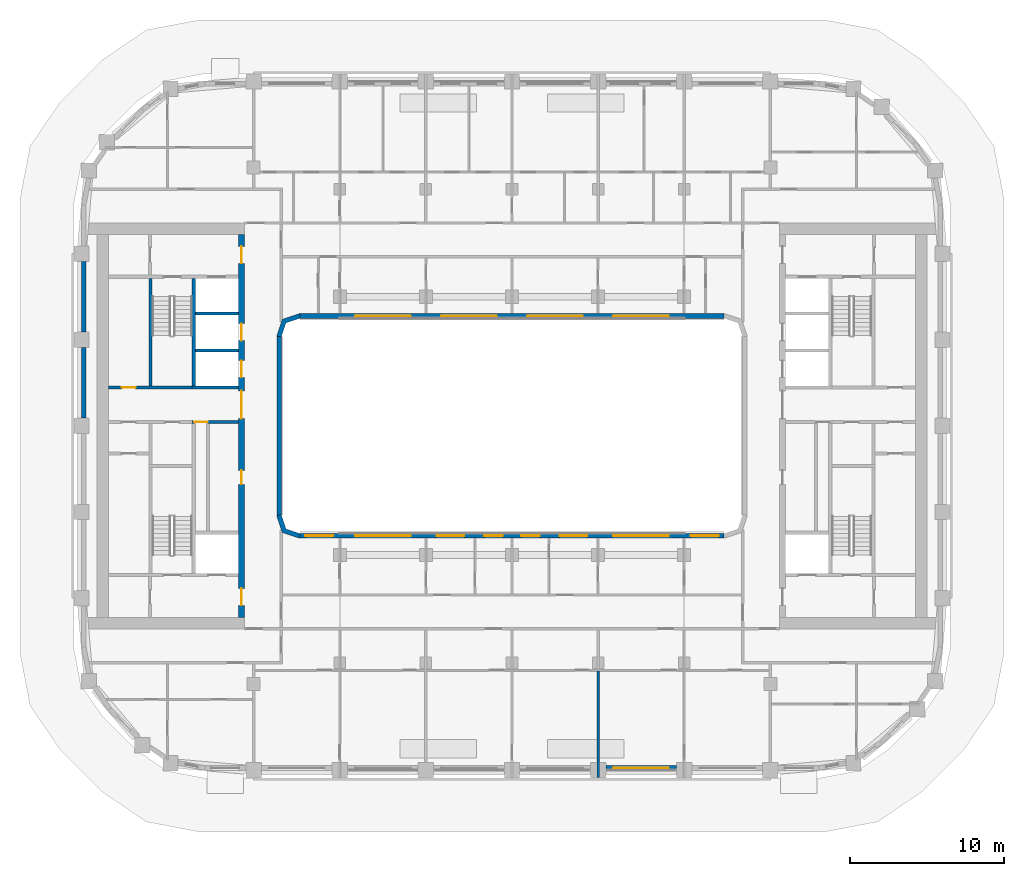
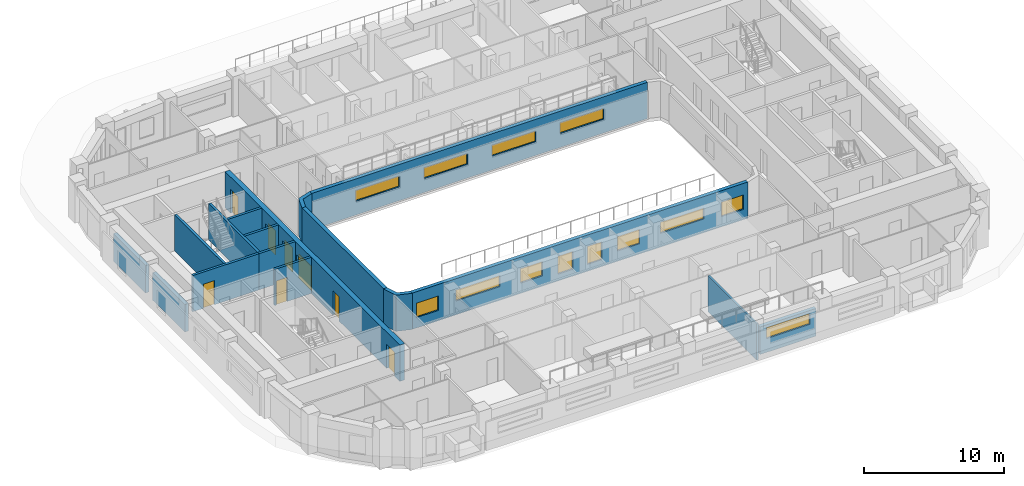
# One storey, part 4 of 17: 17 walls, 13 windows, 8 doors, 21 openings.
"""IFC4 building model written with IfcOpenShell, lengths in metres."""

from ifc_helpers import new_model, si_unit, direction, frame, frame_2d, origin, place, context, subcontext, project, spatial, polyline, rectangle, outline, extrude, material, layer, layer_set, type_object, element, fill, save


model = new_model("IFC4")

# Units and contexts
model_context = context("Model", 3, precision=1e-05, world=origin(), true_north=direction((0.0, 1.0)))
body_context = subcontext(model_context, "Body", "Model", "MODEL_VIEW")
ifc_project = project(units=[si_unit("LENGTHUNIT", "METRE"), si_unit("AREAUNIT", "SQUARE_METRE"), si_unit("VOLUMEUNIT", "CUBIC_METRE"), si_unit("PLANEANGLEUNIT", "RADIAN"), si_unit("MASSUNIT", "GRAM", prefix="KILO")], contexts=[model_context])

# Site, building, storey
site_placement = place(None, origin())
site = spatial("IfcSite", under=ifc_project, at=site_placement, CompositionType="ELEMENT")
building_placement = place(site_placement, origin())
building = spatial("IfcBuilding", under=site, at=building_placement, Name="Kiln Ring Residences", CompositionType="ELEMENT")
storey_placement = place(building_placement, frame((0.0, 0.0, 174.60009765625)))
storey = spatial("IfcBuildingStorey", under=building, at=storey_placement, Name="L45", CompositionType="ELEMENT", Elevation=174.60009765625)

# Wall, opening, door
ifc_material_1 = material(Name="Gypsum shaft wall system")
ifc_layer_1 = layer(ifc_material_1, 0.199951171875)
ifc_layer_set_1 = layer_set([ifc_layer_1], Name="CORE-SHAFT-WALL-200")
wall_type_1 = type_object("IfcWallType", Name="CORE-SHAFT-WALL-200", PredefinedType="PARTITIONING", material=ifc_layer_set_1)
wall_1_placement = place(storey_placement, frame((-17.800048828125, 0.25, 0.0), z_axis=(0.0, 0.0, 1.0), x_axis=(-1.0, 0.0, 0.0)))
wall_1 = element("IfcWall", 1, at=wall_1_placement, inside=storey, type_object=wall_type_1, Name="Core partition west L45 8", PredefinedType="PARTITIONING", context=body_context, shape_type="SweptSolid", body=[
    extrude(rectangle(XDim=3.0, YDim=0.199951171875, at=frame_2d((1.5, 0.0))), origin(), (0.0, 0.0, 1.0), 3.14990234375),
])
opening_1_placement = place(wall_1_placement, frame((1.97998046875, 0.0, 0.0)))
opening_1 = element("IfcOpeningElement", 2, at=opening_1_placement, cuts=wall_1, Name="Opening L45-CW03", PredefinedType="OPENING", context=body_context, shape_type="SweptSolid", body=[
    extrude(rectangle(XDim=0.89990234375, YDim=2.10009765625, at=frame_2d((0.449951171875, 1.050048828125))), frame((0.0, 0.10986328125, 0.0), z_axis=(0.0, -1.0, 0.0), x_axis=(1.0, 0.0, 0.0)), (0.0, 0.0, 1.0), 0.219970703125),
])
ifc_material_2 = material(Name="Steel door leaf", Category="steel")
door_type_1 = type_object("IfcDoorType", Name="CORE-DOOR-ROOM", OperationType="SINGLE_SWING_LEFT", PredefinedType="DOOR", material=ifc_material_2)
door_1_placement = place(opening_1_placement, origin())
door_1 = element("IfcDoor", 3, at=door_1_placement, inside=storey, type_object=door_type_1, Name="Waste room L45-CW03", OperationType="SINGLE_SWING_LEFT", OverallHeight=2.10009765625, OverallWidth=0.89990234375, PredefinedType="DOOR", context=body_context, shape_type="SweptSolid", body=[
    extrude(rectangle(XDim=0.89990234375, YDim=2.10009765625, at=frame_2d((0.449951171875, 1.050048828125))), frame((0.0, 0.02490234375, 0.0), z_axis=(0.0, -1.0, 0.0), x_axis=(1.0, 0.0, 0.0)), (0.0, 0.0, 1.0), 0.050048828125),
])
fill(opening_1, door_1)

# Walls
wall_2_placement = place(storey_placement, frame((-17.800048828125, 2.5, 0.0), z_axis=(0.0, 0.0, 1.0), x_axis=(-1.0, 0.0, 0.0)))
element("IfcWall", 4, at=wall_2_placement, inside=storey, type_object=wall_type_1, Name="Core partition west L45 9", PredefinedType="PARTITIONING", context=body_context, shape_type="SweptSolid", body=[
    extrude(rectangle(XDim=3.0, YDim=0.199951171875, at=frame_2d((1.5, 0.0))), origin(), (0.0, 0.0, 1.0), 3.14990234375),
])
for number, where, z_axis, x_axis, name in (
    (5, (-17.800048828125, 4.89990234375, 0.0), (0.0, 0.0, 1.0), (-1.0, 0.0, 0.0), "Core partition west L45 10"),
    (6, (-17.800048828125, 7.300048828125, 0.0), (0.0, 0.0, 1.0), (-1.0, 0.0, 0.0), "Core partition west L45 11"),
):
    element("IfcWall", number, at=place(storey_placement, frame(where, z_axis=z_axis, x_axis=x_axis)), inside=storey, type_object=wall_type_1, Name=name, PredefinedType="PARTITIONING", context=body_context, shape_type="SweptSolid", body=[
        extrude(rectangle(XDim=2.800048828125, YDim=0.199951171875, at=frame_2d((1.39990234375, 0.0))), origin(), (0.0, 0.0, 1.0), 3.14990234375),
    ])
ifc_material_3 = material(Name="Concrete C40/50", Category="concrete")
ifc_layer_2 = layer(ifc_material_3, 0.199951171875)
ifc_layer_set_2 = layer_set([ifc_layer_2], Name="CORE-WALL-RC200")
wall_type_2 = type_object("IfcWallType", Name="CORE-WALL-RC200", PredefinedType="SHEAR", material=ifc_layer_set_2)
wall_3_placement = place(storey_placement, frame((-20.699951171875, 2.60009765625, 0.0), z_axis=(0.0, 0.0, 1.0), x_axis=(0.0, 1.0, 0.0)))
element("IfcWall", 7, at=wall_3_placement, inside=storey, type_object=wall_type_2, Name="Core wall west L45 1", PredefinedType="SHEAR", context=body_context, shape_type="SweptSolid", body=[
    extrude(rectangle(XDim=7.0, YDim=0.199951171875, at=frame_2d((3.5, 0.0))), origin(), (0.0, 0.0, 1.0), 3.14990234375),
])

# Wall, opening, door
wall_4_placement = place(storey_placement, frame((-20.800048828125, 2.5, 0.0), z_axis=(0.0, 0.0, 1.0), x_axis=(-1.0, 0.0, 0.0)))
wall_4 = element("IfcWall", 8, at=wall_4_placement, inside=storey, type_object=wall_type_2, Name="Core wall west L45 3", PredefinedType="SHEAR", context=body_context, shape_type="SweptSolid", body=[
    extrude(rectangle(XDim=5.449951171875, YDim=0.199951171875, at=frame_2d((2.72509765625, 0.0))), origin(), (0.0, 0.0, 1.0), 3.14990234375),
])
opening_2_placement = place(wall_4_placement, frame((3.675048828125, 0.0, 0.0)))
opening_2 = element("IfcOpeningElement", 9, at=opening_2_placement, cuts=wall_4, Name="Opening L45-CW17", PredefinedType="OPENING", context=body_context, shape_type="SweptSolid", body=[
    extrude(rectangle(XDim=0.89990234375, YDim=2.10009765625, at=frame_2d((0.449951171875, 1.050048828125))), frame((0.0, 0.10986328125, 0.0), z_axis=(0.0, -1.0, 0.0), x_axis=(1.0, 0.0, 0.0)), (0.0, 0.0, 1.0), 0.219970703125),
])
door_2_placement = place(opening_2_placement, origin())
door_2 = element("IfcDoor", 10, at=door_2_placement, inside=storey, type_object=door_type_1, Name="Electrical plant room L45-CW17", OperationType="SINGLE_SWING_RIGHT", OverallHeight=2.10009765625, OverallWidth=0.89990234375, PredefinedType="DOOR", context=body_context, shape_type="SweptSolid", body=[
    extrude(rectangle(XDim=0.89990234375, YDim=2.10009765625, at=frame_2d((0.449951171875, 1.050048828125))), frame((0.0, 0.02490234375, 0.0), z_axis=(0.0, -1.0, 0.0), x_axis=(1.0, 0.0, 0.0)), (0.0, 0.0, 1.0), 0.050048828125),
])
fill(opening_2, door_2)

# Wall
wall_5_placement = place(storey_placement, frame((-23.5, 2.60009765625, 0.0), z_axis=(0.0, 0.0, 1.0), x_axis=(0.0, 1.0, 0.0)))
element("IfcWall", 11, at=wall_5_placement, inside=storey, type_object=wall_type_2, Name="Core wall west L45 10", PredefinedType="SHEAR", context=body_context, shape_type="SweptSolid", body=[
    extrude(rectangle(XDim=7.0, YDim=0.199951171875, at=frame_2d((3.5, 0.0))), origin(), (0.0, 0.0, 1.0), 3.14990234375),
])

# Wall, openings, doors
ifc_material_4 = material(Name="Concrete C60/75", Category="concrete")
ifc_layer_3 = layer(ifc_material_4, 0.39990234375)
ifc_layer_set_3 = layer_set([ifc_layer_3], Name="CORE-WALL-RC400")
wall_type_3 = type_object("IfcWallType", Name="CORE-WALL-RC400", PredefinedType="SHEAR", material=ifc_layer_set_3)
wall_6_placement = place(storey_placement, frame((-17.60009765625, -12.449951171875, 0.0), z_axis=(0.0, 0.0, 1.0), x_axis=(0.0, 1.0, 0.0)))
wall_6 = element("IfcWall", 12, at=wall_6_placement, inside=storey, type_object=wall_type_3, Name="Core wall west L45 6", PredefinedType="SHEAR", context=body_context, shape_type="SweptSolid", body=[
    extrude(rectangle(XDim=24.89990234375, YDim=0.39990234375, at=frame_2d((12.449951171875, 0.0))), origin(), (0.0, 0.0, 1.0), 3.14990234375),
])
opening_3_placement = place(wall_6_placement, frame((8.64990234375, 0.0, 0.0)))
opening_3 = element("IfcOpeningElement", 13, at=opening_3_placement, cuts=wall_6, Name="Opening L45-CW02", PredefinedType="OPENING", context=body_context, shape_type="SweptSolid", body=[
    extrude(rectangle(XDim=0.89990234375, YDim=2.10009765625, at=frame_2d((0.449951171875, 1.050048828125))), frame((0.0, 0.2099609375, 0.0), z_axis=(0.0, -1.0, 0.0), x_axis=(1.0, 0.0, 0.0)), (0.0, 0.0, 1.0), 0.419921875),
])
opening_4_placement = place(wall_6_placement, frame((15.60009765625, 0.0, 0.0)))
opening_4 = element("IfcOpeningElement", 14, at=opening_4_placement, cuts=wall_6, Name="Opening L45-CW04", PredefinedType="OPENING", context=body_context, shape_type="SweptSolid", body=[
    extrude(rectangle(XDim=1.10009765625, YDim=2.10009765625, at=frame_2d((0.550048828125, 1.050048828125))), frame((0.0, 0.2099609375, 0.0), z_axis=(0.0, -1.0, 0.0), x_axis=(1.0, 0.0, 0.0)), (0.0, 0.0, 1.0), 0.419921875),
])
opening_5_placement = place(wall_6_placement, frame((18.0, 0.0, 0.0)))
opening_5 = element("IfcOpeningElement", 15, at=opening_5_placement, cuts=wall_6, Name="Opening L45-CW05", PredefinedType="OPENING", context=body_context, shape_type="SweptSolid", body=[
    extrude(rectangle(XDim=1.10009765625, YDim=2.10009765625, at=frame_2d((0.550048828125, 1.050048828125))), frame((0.0, 0.2099609375, 0.0), z_axis=(0.0, -1.0, 0.0), x_axis=(1.0, 0.0, 0.0)), (0.0, 0.0, 1.0), 0.419921875),
])
opening_6_placement = place(wall_6_placement, frame((23.02490234375, 0.0, 0.0)))
opening_6 = element("IfcOpeningElement", 16, at=opening_6_placement, cuts=wall_6, Name="Opening L45-CW07", PredefinedType="OPENING", context=body_context, shape_type="SweptSolid", body=[
    extrude(rectangle(XDim=1.10009765625, YDim=2.10009765625, at=frame_2d((0.550048828125, 1.050048828125))), frame((0.0, 0.2099609375, 0.0), z_axis=(0.0, -1.0, 0.0), x_axis=(1.0, 0.0, 0.0)), (0.0, 0.0, 1.0), 0.419921875),
])
opening_7_placement = place(wall_6_placement, frame((0.77490234375, 0.0, 0.0)))
opening_7 = element("IfcOpeningElement", 17, at=opening_7_placement, cuts=wall_6, Name="Opening L45-CW08", PredefinedType="OPENING", context=body_context, shape_type="SweptSolid", body=[
    extrude(rectangle(XDim=1.10009765625, YDim=2.10009765625, at=frame_2d((0.550048828125, 1.050048828125))), frame((0.0, 0.2099609375, 0.0), z_axis=(0.0, -1.0, 0.0), x_axis=(1.0, 0.0, 0.0)), (0.0, 0.0, 1.0), 0.419921875),
])
opening_8_placement = place(wall_6_placement, frame((12.925048828125, 0.0, 0.0)))
opening_8 = element("IfcOpeningElement", 18, at=opening_8_placement, cuts=wall_6, Name="Opening L45-CW13", PredefinedType="OPENING", context=body_context, shape_type="SweptSolid", body=[
    extrude(rectangle(XDim=1.800048828125, YDim=2.10009765625, at=frame_2d((0.89990234375, 1.050048828125))), frame((0.0, 0.2099609375, 0.0), z_axis=(0.0, -1.0, 0.0), x_axis=(1.0, 0.0, 0.0)), (0.0, 0.0, 1.0), 0.419921875),
])
ifc_material_5 = material(Name="Steel door leaf", Category="steel")
door_type_2 = type_object("IfcDoorType", Name="CORE-DOOR-LD", OperationType="DOUBLE_DOOR_SLIDING", PredefinedType="DOOR", material=ifc_material_5)
door_3_placement = place(opening_4_placement, origin())
door_3 = element("IfcDoor", 19, at=door_3_placement, inside=storey, type_object=door_type_2, Name="LD W-M1 L45-CW04", OperationType="DOUBLE_DOOR_SLIDING", OverallHeight=2.10009765625, OverallWidth=1.10009765625, PredefinedType="DOOR", context=body_context, shape_type="SweptSolid", body=[
    extrude(rectangle(XDim=1.10009765625, YDim=2.10009765625, at=frame_2d((0.550048828125, 1.050048828125))), frame((0.0, 0.02490234375, 0.0), z_axis=(0.0, -1.0, 0.0), x_axis=(1.0, 0.0, 0.0)), (0.0, 0.0, 1.0), 0.050048828125),
])
fill(opening_4, door_3)
door_4_placement = place(opening_5_placement, origin())
door_4 = element("IfcDoor", 20, at=door_4_placement, inside=storey, type_object=door_type_2, Name="LD W-M2 L45-CW05", OperationType="DOUBLE_DOOR_SLIDING", OverallHeight=2.10009765625, OverallWidth=1.10009765625, PredefinedType="DOOR", context=body_context, shape_type="SweptSolid", body=[
    extrude(rectangle(XDim=1.10009765625, YDim=2.10009765625, at=frame_2d((0.550048828125, 1.050048828125))), frame((0.0, 0.02490234375, 0.0), z_axis=(0.0, -1.0, 0.0), x_axis=(1.0, 0.0, 0.0)), (0.0, 0.0, 1.0), 0.050048828125),
])
fill(opening_5, door_4)
ifc_material_6 = material(Name="Steel door leaf", Category="steel")
door_type_3 = type_object("IfcDoorType", Name="CORE-DOOR-LOBBY", OperationType="SINGLE_SWING_LEFT", PredefinedType="DOOR", material=ifc_material_6)
door_5_placement = place(opening_6_placement, origin())
door_5 = element("IfcDoor", 21, at=door_5_placement, inside=storey, type_object=door_type_3, Name="FFL L45-CW07", OperationType="SINGLE_SWING_RIGHT", OverallHeight=2.10009765625, OverallWidth=1.10009765625, PredefinedType="DOOR", context=body_context, shape_type="SweptSolid", body=[
    extrude(rectangle(XDim=1.10009765625, YDim=2.10009765625, at=frame_2d((0.550048828125, 1.050048828125))), frame((0.0, 0.02490234375, 0.0), z_axis=(0.0, -1.0, 0.0), x_axis=(1.0, 0.0, 0.0)), (0.0, 0.0, 1.0), 0.050048828125),
])
fill(opening_6, door_5)
door_6_placement = place(opening_7_placement, origin())
door_6 = element("IfcDoor", 22, at=door_6_placement, inside=storey, type_object=door_type_3, Name="SVL L45-CW08", OperationType="SINGLE_SWING_LEFT", OverallHeight=2.10009765625, OverallWidth=1.10009765625, PredefinedType="DOOR", context=body_context, shape_type="SweptSolid", body=[
    extrude(rectangle(XDim=1.10009765625, YDim=2.10009765625, at=frame_2d((0.550048828125, 1.050048828125))), frame((0.0, 0.02490234375, 0.0), z_axis=(0.0, -1.0, 0.0), x_axis=(1.0, 0.0, 0.0)), (0.0, 0.0, 1.0), 0.050048828125),
])
fill(opening_7, door_6)
ifc_material_7 = material(Name="Steel door leaf", Category="steel")
door_type_4 = type_object("IfcDoorType", Name="CORE-DOOR-PASS", OperationType="DOUBLE_DOOR_SINGLE_SWING", PredefinedType="DOOR", material=ifc_material_7)
door_7_placement = place(opening_8_placement, origin())
door_7 = element("IfcDoor", 23, at=door_7_placement, inside=storey, type_object=door_type_4, Name="Core passage L45-CW13", OperationType="DOUBLE_DOOR_SINGLE_SWING", OverallHeight=2.10009765625, OverallWidth=1.800048828125, PredefinedType="DOOR", context=body_context, shape_type="SweptSolid", body=[
    extrude(rectangle(XDim=1.800048828125, YDim=2.10009765625, at=frame_2d((0.89990234375, 1.050048828125))), frame((0.0, 0.02490234375, 0.0), z_axis=(0.0, -1.0, 0.0), x_axis=(1.0, 0.0, 0.0)), (0.0, 0.0, 1.0), 0.050048828125),
])
fill(opening_8, door_7)
door_8_placement = place(opening_3_placement, origin())
door_8 = element("IfcDoor", 24, at=door_8_placement, inside=storey, type_object=door_type_1, Name="Janitor's store L45-CW02", OperationType="SINGLE_SWING_RIGHT", OverallHeight=2.10009765625, OverallWidth=0.89990234375, PredefinedType="DOOR", context=body_context, shape_type="SweptSolid", body=[
    extrude(rectangle(XDim=0.89990234375, YDim=2.10009765625, at=frame_2d((0.449951171875, 1.050048828125))), frame((0.0, 0.02490234375, 0.0), z_axis=(0.0, -1.0, 0.0), x_axis=(1.0, 0.0, 0.0)), (0.0, 0.0, 1.0), 0.050048828125),
])
fill(opening_3, door_8)

# Wall, opening, window
ifc_material_8 = material(Name="Brick masonry, dark clay brick", Category="masonry")
ifc_layer_4 = layer(ifc_material_8, 0.300048828125)
ifc_layer_set_4 = layer_set([ifc_layer_4], Name="EW-300 BRICK WALL")
wall_type_4 = type_object("IfcWallType", Name="EW-300 BRICK WALL", PredefinedType="SOLIDWALL", material=ifc_layer_set_4)
wall_7_placement = place(storey_placement, frame((6.10009765625, -22.25, 0.0), z_axis=(0.0, 0.0, 1.0), x_axis=(1.0, 0.0, 0.0)))
wall_7 = element("IfcWall", 25, at=wall_7_placement, inside=storey, type_object=wall_type_4, Name="Facade wall L45 9", PredefinedType="SOLIDWALL", context=body_context, shape_type="SweptSolid", body=[
    extrude(rectangle(XDim=4.599853515625, YDim=0.300048828125, at=frame_2d((2.2998046875, 0.0))), origin(), (0.0, 0.0, 1.0), 2.39990234375),
])
opening_9_placement = place(wall_7_placement, frame((0.5, 0.0, 1.199951171875)))
opening_9 = element("IfcOpeningElement", 26, at=opening_9_placement, cuts=wall_7, Name="Opening W4", PredefinedType="OPENING", context=body_context, shape_type="SweptSolid", body=[
    extrude(rectangle(XDim=3.60009765625, YDim=0.949951171875, at=frame_2d((1.800048828125, 0.47509765625))), frame((0.0, 0.159912109375, 0.0), z_axis=(0.0, -1.0, 0.0), x_axis=(1.0, 0.0, 0.0)), (0.0, 0.0, 1.0), 0.320068359375),
])
ifc_material_9 = material(Name="Aluminium frame with double glazing", Category="aluminium")
window_type_1 = type_object("IfcWindowType", Name="WINDOW 3600 x 950", PartitioningType="SINGLE_PANEL", PredefinedType="WINDOW", material=ifc_material_9)
window_1_placement = place(opening_9_placement, origin())
window_1 = element("IfcWindow", 27, at=window_1_placement, inside=storey, type_object=window_type_1, Name="Window L45 8", OverallHeight=0.949951171875, OverallWidth=3.60009765625, PartitioningType="SINGLE_PANEL", PredefinedType="WINDOW", context=body_context, shape_type="SweptSolid", body=[
    extrude(rectangle(XDim=3.60009765625, YDim=0.949951171875, at=frame_2d((1.800048828125, 0.47509765625))), frame((0.0, 0.030029296875, 0.0), z_axis=(0.0, -1.0, 0.0), x_axis=(1.0, 0.0, 0.0)), (0.0, 0.0, 1.0), 0.06005859375),
])
fill(opening_9, window_1)

# Walls
wall_8_placement = place(storey_placement, frame((-27.85009765625, 10.699951171875, 0.0), z_axis=(0.0, 0.0, 1.0), x_axis=(0.0, -1.0, 0.0)))
element("IfcWall", 28, at=wall_8_placement, inside=storey, type_object=wall_type_4, Name="Facade wall L45 42", PredefinedType="SOLIDWALL", context=body_context, shape_type="SweptSolid", body=[
    extrude(rectangle(XDim=4.599853515625, YDim=0.300048828125, at=frame_2d((2.2998046875, 0.0))), origin(), (0.0, 0.0, 1.0), 2.39990234375),
])
wall_9_placement = place(storey_placement, frame((-27.85009765625, 5.10009765625, 0.0), z_axis=(0.0, 0.0, 1.0), x_axis=(0.0, -1.0, 0.0)))
element("IfcWall", 29, at=wall_9_placement, inside=storey, type_object=wall_type_4, Name="Facade wall L45 43", PredefinedType="SOLIDWALL", context=body_context, shape_type="SweptSolid", body=[
    extrude(rectangle(XDim=4.60009765625, YDim=0.300048828125, at=frame_2d((2.300048828125, 0.0))), origin(), (0.0, 0.0, 1.0), 2.39990234375),
])
wall_10_placement = place(storey_placement, frame((-15.14990234375, -5.800048828125, 0.0), z_axis=(0.0, 0.0, 1.0), x_axis=(0.0, 1.0, 0.0)))
element("IfcWall", 30, at=wall_10_placement, inside=storey, type_object=wall_type_4, Name="Facade wall L45 49", PredefinedType="SOLIDWALL", context=body_context, shape_type="SweptSolid", body=[
    extrude(rectangle(XDim=11.60009765625, YDim=0.300048828125, at=frame_2d((5.800048828125, 0.0))), origin(), (0.0, 0.0, 1.0), 3.14990234375),
])

# Wall, openings, windows
wall_11_placement = place(storey_placement, frame((-13.800048828125, 7.14990234375, 0.0), z_axis=(0.0, 0.0, 1.0), x_axis=(1.0, 0.0, 0.0)))
wall_11 = element("IfcWall", 31, at=wall_11_placement, inside=storey, type_object=wall_type_4, Name="Facade wall L45 50", PredefinedType="SOLIDWALL", context=body_context, shape_type="SweptSolid", body=[
    extrude(rectangle(XDim=27.60009765625, YDim=0.300048828125, at=frame_2d((13.800048828125, 0.0))), origin(), (0.0, 0.0, 1.0), 3.14990234375),
])
opening_10_placement = place(wall_11_placement, frame((3.60009765625, 0.0, 1.199951171875)))
opening_10 = element("IfcOpeningElement", 32, at=opening_10_placement, cuts=wall_11, Name="Opening W4", PredefinedType="OPENING", context=body_context, shape_type="SweptSolid", body=[
    extrude(rectangle(XDim=3.60009765625, YDim=0.949951171875, at=frame_2d((1.800048828125, 0.47509765625))), frame((0.0, 0.159912109375, 0.0), z_axis=(0.0, -1.0, 0.0), x_axis=(1.0, 0.0, 0.0)), (0.0, 0.0, 1.0), 0.320068359375),
])
opening_11_placement = place(wall_11_placement, frame((9.199951171875, 0.0, 1.199951171875)))
opening_11 = element("IfcOpeningElement", 33, at=opening_11_placement, cuts=wall_11, Name="Opening W4", PredefinedType="OPENING", context=body_context, shape_type="SweptSolid", body=[
    extrude(rectangle(XDim=3.60009765625, YDim=0.949951171875, at=frame_2d((1.800048828125, 0.47509765625))), frame((0.0, 0.159912109375, 0.0), z_axis=(0.0, -1.0, 0.0), x_axis=(1.0, 0.0, 0.0)), (0.0, 0.0, 1.0), 0.320068359375),
])
opening_12_placement = place(wall_11_placement, frame((14.800048828125, 0.0, 1.199951171875)))
opening_12 = element("IfcOpeningElement", 34, at=opening_12_placement, cuts=wall_11, Name="Opening W4", PredefinedType="OPENING", context=body_context, shape_type="SweptSolid", body=[
    extrude(rectangle(XDim=3.60009765625, YDim=0.949951171875, at=frame_2d((1.800048828125, 0.47509765625))), frame((0.0, 0.159912109375, 0.0), z_axis=(0.0, -1.0, 0.0), x_axis=(1.0, 0.0, 0.0)), (0.0, 0.0, 1.0), 0.320068359375),
])
opening_13_placement = place(wall_11_placement, frame((20.39990234375, 0.0, 1.199951171875)))
opening_13 = element("IfcOpeningElement", 35, at=opening_13_placement, cuts=wall_11, Name="Opening W4", PredefinedType="OPENING", context=body_context, shape_type="SweptSolid", body=[
    extrude(rectangle(XDim=3.60009765625, YDim=0.949951171875, at=frame_2d((1.800048828125, 0.47509765625))), frame((0.0, 0.159912109375, 0.0), z_axis=(0.0, -1.0, 0.0), x_axis=(1.0, 0.0, 0.0)), (0.0, 0.0, 1.0), 0.320068359375),
])
window_2_placement = place(opening_10_placement, origin())
window_2 = element("IfcWindow", 36, at=window_2_placement, inside=storey, type_object=window_type_1, Name="Window L45 30", OverallHeight=0.949951171875, OverallWidth=3.60009765625, PartitioningType="SINGLE_PANEL", PredefinedType="WINDOW", context=body_context, shape_type="SweptSolid", body=[
    extrude(rectangle(XDim=3.60009765625, YDim=0.949951171875, at=frame_2d((1.800048828125, 0.47509765625))), frame((0.0, 0.030029296875, 0.0), z_axis=(0.0, -1.0, 0.0), x_axis=(1.0, 0.0, 0.0)), (0.0, 0.0, 1.0), 0.06005859375),
])
fill(opening_10, window_2)
window_3_placement = place(opening_11_placement, origin())
window_3 = element("IfcWindow", 37, at=window_3_placement, inside=storey, type_object=window_type_1, Name="Window L45 31", OverallHeight=0.949951171875, OverallWidth=3.60009765625, PartitioningType="SINGLE_PANEL", PredefinedType="WINDOW", context=body_context, shape_type="SweptSolid", body=[
    extrude(rectangle(XDim=3.60009765625, YDim=0.949951171875, at=frame_2d((1.800048828125, 0.47509765625))), frame((0.0, 0.030029296875, 0.0), z_axis=(0.0, -1.0, 0.0), x_axis=(1.0, 0.0, 0.0)), (0.0, 0.0, 1.0), 0.06005859375),
])
fill(opening_11, window_3)
window_4_placement = place(opening_12_placement, origin())
window_4 = element("IfcWindow", 38, at=window_4_placement, inside=storey, type_object=window_type_1, Name="Window L45 32", OverallHeight=0.949951171875, OverallWidth=3.60009765625, PartitioningType="SINGLE_PANEL", PredefinedType="WINDOW", context=body_context, shape_type="SweptSolid", body=[
    extrude(rectangle(XDim=3.60009765625, YDim=0.949951171875, at=frame_2d((1.800048828125, 0.47509765625))), frame((0.0, 0.030029296875, 0.0), z_axis=(0.0, -1.0, 0.0), x_axis=(1.0, 0.0, 0.0)), (0.0, 0.0, 1.0), 0.06005859375),
])
fill(opening_12, window_4)
window_5_placement = place(opening_13_placement, origin())
window_5 = element("IfcWindow", 39, at=window_5_placement, inside=storey, type_object=window_type_1, Name="Window L45 33", OverallHeight=0.949951171875, OverallWidth=3.60009765625, PartitioningType="SINGLE_PANEL", PredefinedType="WINDOW", context=body_context, shape_type="SweptSolid", body=[
    extrude(rectangle(XDim=3.60009765625, YDim=0.949951171875, at=frame_2d((1.800048828125, 0.47509765625))), frame((0.0, 0.030029296875, 0.0), z_axis=(0.0, -1.0, 0.0), x_axis=(1.0, 0.0, 0.0)), (0.0, 0.0, 1.0), 0.06005859375),
])
fill(opening_13, window_5)

wall_12_placement = place(storey_placement, frame((13.800048828125, -7.14990234375, 0.0), z_axis=(0.0, 0.0, 1.0), x_axis=(-1.0, 0.0, 0.0)))
wall_12 = element("IfcWall", 40, at=wall_12_placement, inside=storey, type_object=wall_type_4, Name="Facade wall L45 52", PredefinedType="SOLIDWALL", context=body_context, shape_type="SweptSolid", body=[
    extrude(rectangle(XDim=27.60009765625, YDim=0.300048828125, at=frame_2d((13.800048828125, 0.0))), origin(), (0.0, 0.0, 1.0), 3.14990234375),
])
opening_14_placement = place(wall_12_placement, frame((0.362548828125, 0.0, 0.89990234375)))
opening_14 = element("IfcOpeningElement", 41, at=opening_14_placement, cuts=wall_12, Name="Opening W2", PredefinedType="OPENING", context=body_context, shape_type="SweptSolid", body=[
    extrude(rectangle(XDim=1.800048828125, YDim=1.25, at=frame_2d((0.89990234375, 0.625))), frame((0.0, 0.159912109375, 0.0), z_axis=(0.0, -1.0, 0.0), x_axis=(1.0, 0.0, 0.0)), (0.0, 0.0, 1.0), 0.320068359375),
])
opening_15_placement = place(wall_12_placement, frame((3.60009765625, 0.0, 1.199951171875)))
opening_15 = element("IfcOpeningElement", 42, at=opening_15_placement, cuts=wall_12, Name="Opening W4", PredefinedType="OPENING", context=body_context, shape_type="SweptSolid", body=[
    extrude(rectangle(XDim=3.60009765625, YDim=0.949951171875, at=frame_2d((1.800048828125, 0.47509765625))), frame((0.0, 0.159912109375, 0.0), z_axis=(0.0, -1.0, 0.0), x_axis=(1.0, 0.0, 0.0)), (0.0, 0.0, 1.0), 0.320068359375),
])
opening_16_placement = place(wall_12_placement, frame((8.89990234375, 0.0, 0.89990234375)))
opening_16 = element("IfcOpeningElement", 43, at=opening_16_placement, cuts=wall_12, Name="Opening W2", PredefinedType="OPENING", context=body_context, shape_type="SweptSolid", body=[
    extrude(rectangle(XDim=1.800048828125, YDim=1.25, at=frame_2d((0.89990234375, 0.625))), frame((0.0, 0.159912109375, 0.0), z_axis=(0.0, -1.0, 0.0), x_axis=(1.0, 0.0, 0.0)), (0.0, 0.0, 1.0), 0.320068359375),
])
opening_17_placement = place(wall_12_placement, frame((12.0, 0.0, 0.60009765625)))
opening_17 = element("IfcOpeningElement", 44, at=opening_17_placement, cuts=wall_12, Name="Opening W1", PredefinedType="OPENING", context=body_context, shape_type="SweptSolid", body=[
    extrude(rectangle(XDim=1.199951171875, YDim=1.550048828125, at=frame_2d((0.60009765625, 0.77490234375))), frame((0.0, 0.159912109375, 0.0), z_axis=(0.0, -1.0, 0.0), x_axis=(1.0, 0.0, 0.0)), (0.0, 0.0, 1.0), 0.320068359375),
])
opening_18_placement = place(wall_12_placement, frame((14.39990234375, 0.0, 0.60009765625)))
opening_18 = element("IfcOpeningElement", 45, at=opening_18_placement, cuts=wall_12, Name="Opening W1", PredefinedType="OPENING", context=body_context, shape_type="SweptSolid", body=[
    extrude(rectangle(XDim=1.199951171875, YDim=1.550048828125, at=frame_2d((0.60009765625, 0.77490234375))), frame((0.0, 0.159912109375, 0.0), z_axis=(0.0, -1.0, 0.0), x_axis=(1.0, 0.0, 0.0)), (0.0, 0.0, 1.0), 0.320068359375),
])
opening_19_placement = place(wall_12_placement, frame((16.89990234375, 0.0, 0.89990234375)))
opening_19 = element("IfcOpeningElement", 46, at=opening_19_placement, cuts=wall_12, Name="Opening W2", PredefinedType="OPENING", context=body_context, shape_type="SweptSolid", body=[
    extrude(rectangle(XDim=1.800048828125, YDim=1.25, at=frame_2d((0.89990234375, 0.625))), frame((0.0, 0.159912109375, 0.0), z_axis=(0.0, -1.0, 0.0), x_axis=(1.0, 0.0, 0.0)), (0.0, 0.0, 1.0), 0.320068359375),
])
opening_20_placement = place(wall_12_placement, frame((20.39990234375, 0.0, 1.199951171875)))
opening_20 = element("IfcOpeningElement", 47, at=opening_20_placement, cuts=wall_12, Name="Opening W4", PredefinedType="OPENING", context=body_context, shape_type="SweptSolid", body=[
    extrude(rectangle(XDim=3.60009765625, YDim=0.949951171875, at=frame_2d((1.800048828125, 0.47509765625))), frame((0.0, 0.159912109375, 0.0), z_axis=(0.0, -1.0, 0.0), x_axis=(1.0, 0.0, 0.0)), (0.0, 0.0, 1.0), 0.320068359375),
])
opening_21_placement = place(wall_12_placement, frame((25.4375, 0.0, 0.89990234375)))
opening_21 = element("IfcOpeningElement", 48, at=opening_21_placement, cuts=wall_12, Name="Opening W2", PredefinedType="OPENING", context=body_context, shape_type="SweptSolid", body=[
    extrude(rectangle(XDim=1.800048828125, YDim=1.25, at=frame_2d((0.89990234375, 0.625))), frame((0.0, 0.159912109375, 0.0), z_axis=(0.0, -1.0, 0.0), x_axis=(1.0, 0.0, 0.0)), (0.0, 0.0, 1.0), 0.320068359375),
])
ifc_material_10 = material(Name="Aluminium frame with double glazing", Category="aluminium")
window_type_2 = type_object("IfcWindowType", Name="WINDOW 1200 x 1550", PartitioningType="SINGLE_PANEL", PredefinedType="WINDOW", material=ifc_material_10)
window_6_placement = place(opening_17_placement, origin())
window_6 = element("IfcWindow", 49, at=window_6_placement, inside=storey, type_object=window_type_2, Name="Window L45 37", OverallHeight=1.550048828125, OverallWidth=1.199951171875, PartitioningType="SINGLE_PANEL", PredefinedType="WINDOW", context=body_context, shape_type="SweptSolid", body=[
    extrude(rectangle(XDim=1.199951171875, YDim=1.550048828125, at=frame_2d((0.60009765625, 0.77490234375))), frame((0.0, 0.030029296875, 0.0), z_axis=(0.0, -1.0, 0.0), x_axis=(1.0, 0.0, 0.0)), (0.0, 0.0, 1.0), 0.06005859375),
])
fill(opening_17, window_6)
window_7_placement = place(opening_18_placement, origin())
window_7 = element("IfcWindow", 50, at=window_7_placement, inside=storey, type_object=window_type_2, Name="Window L45 38", OverallHeight=1.550048828125, OverallWidth=1.199951171875, PartitioningType="SINGLE_PANEL", PredefinedType="WINDOW", context=body_context, shape_type="SweptSolid", body=[
    extrude(rectangle(XDim=1.199951171875, YDim=1.550048828125, at=frame_2d((0.60009765625, 0.77490234375))), frame((0.0, 0.030029296875, 0.0), z_axis=(0.0, -1.0, 0.0), x_axis=(1.0, 0.0, 0.0)), (0.0, 0.0, 1.0), 0.06005859375),
])
fill(opening_18, window_7)
ifc_material_11 = material(Name="Aluminium frame with double glazing", Category="aluminium")
window_type_3 = type_object("IfcWindowType", Name="WINDOW 1800 x 1250", PartitioningType="SINGLE_PANEL", PredefinedType="WINDOW", material=ifc_material_11)
window_8_placement = place(opening_14_placement, origin())
window_8 = element("IfcWindow", 51, at=window_8_placement, inside=storey, type_object=window_type_3, Name="Window L45 34", OverallHeight=1.25, OverallWidth=1.800048828125, PartitioningType="SINGLE_PANEL", PredefinedType="WINDOW", context=body_context, shape_type="SweptSolid", body=[
    extrude(rectangle(XDim=1.800048828125, YDim=1.25, at=frame_2d((0.89990234375, 0.625))), frame((0.0, 0.030029296875, 0.0), z_axis=(0.0, -1.0, 0.0), x_axis=(1.0, 0.0, 0.0)), (0.0, 0.0, 1.0), 0.06005859375),
])
fill(opening_14, window_8)
window_9_placement = place(opening_16_placement, origin())
window_9 = element("IfcWindow", 52, at=window_9_placement, inside=storey, type_object=window_type_3, Name="Window L45 36", OverallHeight=1.25, OverallWidth=1.800048828125, PartitioningType="SINGLE_PANEL", PredefinedType="WINDOW", context=body_context, shape_type="SweptSolid", body=[
    extrude(rectangle(XDim=1.800048828125, YDim=1.25, at=frame_2d((0.89990234375, 0.625))), frame((0.0, 0.030029296875, 0.0), z_axis=(0.0, -1.0, 0.0), x_axis=(1.0, 0.0, 0.0)), (0.0, 0.0, 1.0), 0.06005859375),
])
fill(opening_16, window_9)
window_10_placement = place(opening_19_placement, origin())
window_10 = element("IfcWindow", 53, at=window_10_placement, inside=storey, type_object=window_type_3, Name="Window L45 39", OverallHeight=1.25, OverallWidth=1.800048828125, PartitioningType="SINGLE_PANEL", PredefinedType="WINDOW", context=body_context, shape_type="SweptSolid", body=[
    extrude(rectangle(XDim=1.800048828125, YDim=1.25, at=frame_2d((0.89990234375, 0.625))), frame((0.0, 0.030029296875, 0.0), z_axis=(0.0, -1.0, 0.0), x_axis=(1.0, 0.0, 0.0)), (0.0, 0.0, 1.0), 0.06005859375),
])
fill(opening_19, window_10)
window_11_placement = place(opening_21_placement, origin())
window_11 = element("IfcWindow", 54, at=window_11_placement, inside=storey, type_object=window_type_3, Name="Window L45 41", OverallHeight=1.25, OverallWidth=1.800048828125, PartitioningType="SINGLE_PANEL", PredefinedType="WINDOW", context=body_context, shape_type="SweptSolid", body=[
    extrude(rectangle(XDim=1.800048828125, YDim=1.25, at=frame_2d((0.89990234375, 0.625))), frame((0.0, 0.030029296875, 0.0), z_axis=(0.0, -1.0, 0.0), x_axis=(1.0, 0.0, 0.0)), (0.0, 0.0, 1.0), 0.06005859375),
])
fill(opening_21, window_11)
window_12_placement = place(opening_15_placement, origin())
window_12 = element("IfcWindow", 55, at=window_12_placement, inside=storey, type_object=window_type_1, Name="Window L45 35", OverallHeight=0.949951171875, OverallWidth=3.60009765625, PartitioningType="SINGLE_PANEL", PredefinedType="WINDOW", context=body_context, shape_type="SweptSolid", body=[
    extrude(rectangle(XDim=3.60009765625, YDim=0.949951171875, at=frame_2d((1.800048828125, 0.47509765625))), frame((0.0, 0.030029296875, 0.0), z_axis=(0.0, -1.0, 0.0), x_axis=(1.0, 0.0, 0.0)), (0.0, 0.0, 1.0), 0.06005859375),
])
fill(opening_15, window_12)
window_13_placement = place(opening_20_placement, origin())
window_13 = element("IfcWindow", 56, at=window_13_placement, inside=storey, type_object=window_type_1, Name="Window L45 40", OverallHeight=0.949951171875, OverallWidth=3.60009765625, PartitioningType="SINGLE_PANEL", PredefinedType="WINDOW", context=body_context, shape_type="SweptSolid", body=[
    extrude(rectangle(XDim=3.60009765625, YDim=0.949951171875, at=frame_2d((1.800048828125, 0.47509765625))), frame((0.0, 0.030029296875, 0.0), z_axis=(0.0, -1.0, 0.0), x_axis=(1.0, 0.0, 0.0)), (0.0, 0.0, 1.0), 0.06005859375),
])
fill(opening_20, window_13)

# Walls
placement = place(storey_placement, origin())
element("IfcWall", 57, at=placement, inside=storey, type_object=wall_type_4, Name="Corner wall L45 1", PredefinedType="SOLIDWALL", context=body_context, shape_type="SweptSolid", body=[
    extrude(outline(polyline([(-13.8486328125, 7.300048828125), (-14.937255859375, 6.937255859375), (-15.300048828125, 5.8486328125), (-15.300048828125, 5.800048828125), (-15.0, 5.800048828125), (-14.699951171875, 6.699951171875), (-13.800048828125, 7.0), (-13.800048828125, 7.300048828125), (-13.8486328125, 7.300048828125)])), origin(), (0.0, 0.0, 1.0), 3.14990234375),
])
element("IfcWall", 58, at=placement, inside=storey, type_object=wall_type_4, Name="Corner wall L45 4", PredefinedType="SOLIDWALL", context=body_context, shape_type="SweptSolid", body=[
    extrude(outline(polyline([(-14.937255859375, -6.937255859375), (-13.8486328125, -7.300048828125), (-13.800048828125, -7.300048828125), (-13.800048828125, -7.0), (-14.699951171875, -6.699951171875), (-15.0, -5.800048828125), (-15.300048828125, -5.800048828125), (-15.300048828125, -5.8486328125), (-14.937255859375, -6.937255859375)])), origin(), (0.0, 0.0, 1.0), 3.14990234375),
])
ifc_material_12 = material(Name="Brick masonry partition", Category="masonry")
ifc_layer_5 = layer(ifc_material_12, 0.14990234375)
ifc_layer_set_5 = layer_set([ifc_layer_5], Name="PARTITION-150-ei60")
wall_type_5 = type_object("IfcWallType", Name="PARTITION-150-ei60", PredefinedType="PARTITIONING", material=ifc_layer_set_5)
wall_15_placement = place(storey_placement, frame((5.60009765625, -22.8798828125, 0.0), z_axis=(0.0, 0.0, 1.0), x_axis=(0.0, 1.0, 0.0)))
element("IfcWall", 59, at=wall_15_placement, inside=storey, type_object=wall_type_5, Name="Partition 051", PredefinedType="PARTITIONING", context=body_context, shape_type="SweptSolid", body=[
    extrude(rectangle(XDim=6.929931640625, YDim=0.14990234375, at=frame_2d((3.46484375, 0.0))), origin(), (0.0, 0.0, 1.0), 3.14990234375),
])

save(model, "model.ifc")
